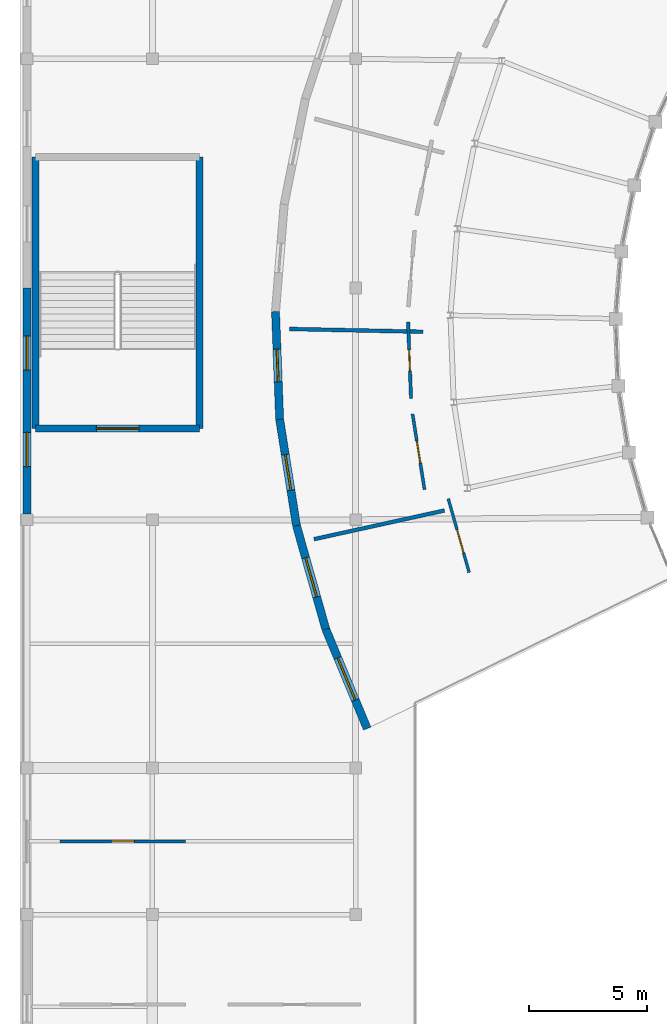
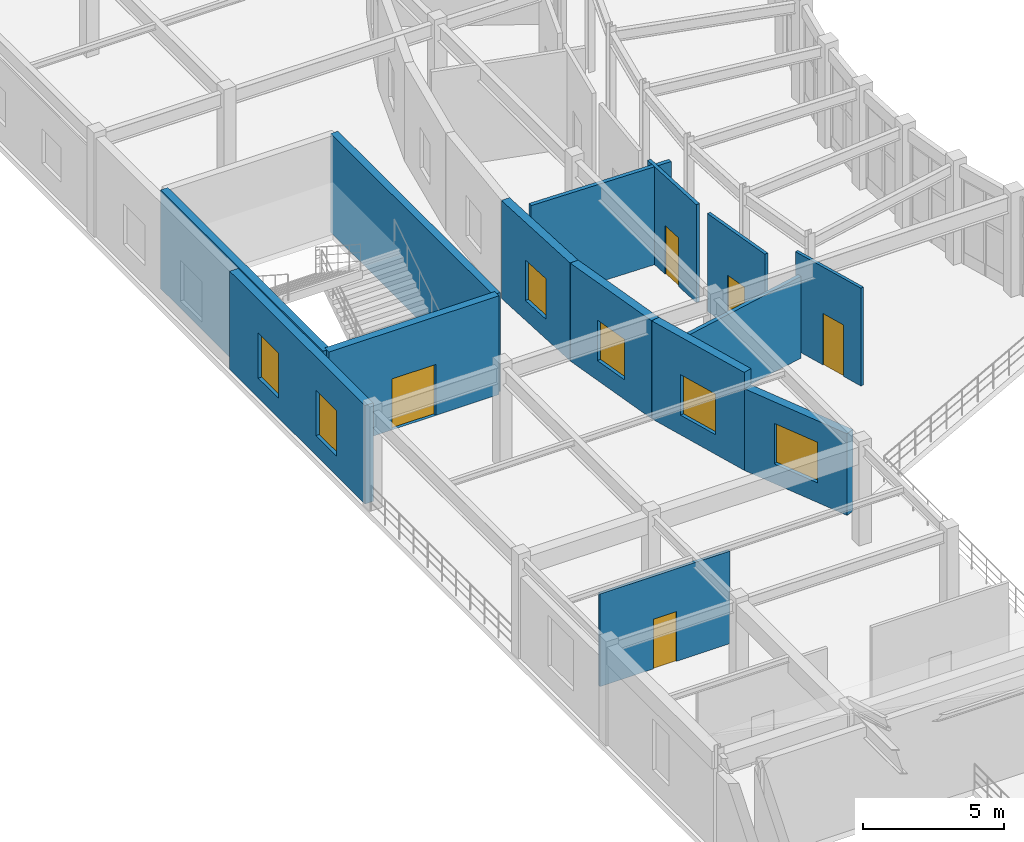
# One storey, part 83 of 112: 14 walls, 6 windows, 5 doors, 11 openings.
"""IFC4 building model written with IfcOpenShell, lengths in metres."""

from ifc_helpers import new_model, si_unit, direction, frame, frame_2d, origin, place, context, subcontext, project, spatial, rectangle, extrude, material, layer, layer_set, type_object, element, fill, save


model = new_model("IFC4")

# Units and contexts
model_context = context("Model", 3, precision=1e-05, world=origin(), true_north=direction((0.0, 1.0)))
body_context = subcontext(model_context, "Body", "Model", "MODEL_VIEW")
ifc_project = project(units=[si_unit("LENGTHUNIT", "METRE"), si_unit("AREAUNIT", "SQUARE_METRE"), si_unit("VOLUMEUNIT", "CUBIC_METRE"), si_unit("PLANEANGLEUNIT", "RADIAN"), si_unit("MASSUNIT", "GRAM", prefix="KILO")], contexts=[model_context])

# Site, building, storey
site_placement = place(None, origin())
site = spatial("IfcSite", under=ifc_project, at=site_placement, CompositionType="ELEMENT")
building_placement = place(site_placement, origin())
building = spatial("IfcBuilding", under=site, at=building_placement, Name="Cinderbank Siding Concert Hall", CompositionType="ELEMENT")
storey_placement = place(building_placement, frame((0.0, 0.0, 10.199951171875)))
storey = spatial("IfcBuildingStorey", under=building, at=storey_placement, Name="L03", CompositionType="ELEMENT", Elevation=10.199951171875)

# Wall, opening, door
ifc_material_1 = material(Name="Reinforced concrete AS 3600 N50 (50 MPa)", Category="concrete")
ifc_layer_1 = layer(ifc_material_1, 0.300048828125)
ifc_layer_set_1 = layer_set([ifc_layer_1], Name="Reinforced concrete AS 3600 N50 (50 MPa)")
wall_type_1 = type_object("IfcWallType", Name="WL-03 Structural Wall 300mm", PredefinedType="SHEAR", material=ifc_layer_set_1)
wall_1_placement = place(storey_placement, frame((14.39990234375, 63.860107421875, 0.0), z_axis=(0.0, 0.0, 1.0), x_axis=(-1.0, 0.0, 0.0)))
wall_1 = element("IfcWall", 1, at=wall_1_placement, inside=storey, type_object=wall_type_1, Name="L03 ST-09 Core Wall ENTRY", PredefinedType="SHEAR", context=body_context, shape_type="SweptSolid", body=[
    extrude(rectangle(XDim=6.93994140625, YDim=0.300048828125, at=frame_2d((3.469970703125, 0.0))), origin(), (0.0, 0.0, 1.0), 4.260009765625),
])
opening_1_placement = place(wall_1_placement, frame((2.570068359375, 0.0, 0.0)))
opening_1 = element("IfcOpeningElement", 2, at=opening_1_placement, cuts=wall_1, Name="Opening D-05", PredefinedType="OPENING", context=body_context, shape_type="SweptSolid", body=[
    extrude(rectangle(XDim=1.800048828125, YDim=2.199951171875, at=frame_2d((0.89990234375, 1.10009765625))), frame((0.0, 0.162109375, 0.0), z_axis=(0.0, -1.0, 0.0), x_axis=(1.0, 0.0, 0.0)), (0.0, 0.0, 1.0), 0.323974609375),
])
ifc_material_2 = material(Name="Galvanised sheet steel acoustic fire door assembly", Category="steel")
door_type_1 = type_object("IfcDoorType", Name="D-05 Interior Door 1800x2200", OperationType="DOUBLE_DOOR_SINGLE_SWING", PredefinedType="DOOR", material=ifc_material_2)
door_1_placement = place(opening_1_placement, origin())
door_1 = element("IfcDoor", 3, at=door_1_placement, inside=storey, type_object=door_type_1, Name="L03 ST-09 Fire Stair Door L03-D049", OperationType="DOUBLE_DOOR_SINGLE_SWING", OverallHeight=2.199951171875, OverallWidth=1.800048828125, PredefinedType="DOOR", context=body_context, shape_type="SweptSolid", body=[
    extrude(rectangle(XDim=1.800048828125, YDim=2.199951171875, at=frame_2d((0.89990234375, 1.10009765625))), frame((0.0, 0.02490234375, 0.0), z_axis=(0.0, -1.0, 0.0), x_axis=(1.0, 0.0, 0.0)), (0.0, 0.0, 1.0), 0.050048828125),
])
fill(opening_1, door_1)

# Walls
for number, where, z_axis, x_axis, name in (
    (4, (14.39990234375, 75.340087890625, 0.0), (0.0, 0.0, 1.0), (0.0, -1.0, 0.0), "L03 ST-09 Core Wall SIDE1"),
    (5, (7.4599609375, 63.860107421875, 0.0), (0.0, 0.0, 1.0), (0.0, 1.0, 0.0), "L03 ST-09 Core Wall SIDE2"),
):
    element("IfcWall", number, at=place(storey_placement, frame(where, z_axis=z_axis, x_axis=x_axis)), inside=storey, type_object=wall_type_1, Name=name, PredefinedType="SHEAR", context=body_context, shape_type="SweptSolid", body=[
        extrude(rectangle(XDim=11.47998046875, YDim=0.300048828125, at=frame_2d((5.739990234375, 0.0))), origin(), (0.0, 0.0, 1.0), 4.260009765625),
    ])

# Wall, opening, window
ifc_material_3 = material(Name="Clinker clay brickwork masonry AS 3700 (20 MPa)", Category="masonry")
ifc_layer_2 = layer(ifc_material_3, 0.340087890625)
ifc_layer_set_2 = layer_set([ifc_layer_2], Name="Clinker clay brickwork masonry AS 3700 (20 MPa)")
wall_type_2 = type_object("IfcWallType", Name="WL-07 Exterior Wall 340mm", PredefinedType="STANDARD", material=ifc_layer_set_2)
wall_2_placement = place(storey_placement, frame((17.6083984375, 68.80419921875, 0.0), z_axis=(0.0, 0.0, 1.0), x_axis=(0.038377542804, -0.999263310749, 0.0)))
wall_2 = element("IfcWall", 6, at=wall_2_placement, inside=storey, type_object=wall_type_2, Name="L03 Facade Wall EW-WOUT-L03-12", PredefinedType="STANDARD", context=body_context, shape_type="SweptSolid", body=[
    extrude(rectangle(XDim=4.554931640625, YDim=0.340087890625, at=frame_2d((2.27734375, 0.0))), origin(), (0.0, 0.0, 1.0), 4.22509765625),
])
opening_2_placement = place(wall_2_placement, frame((1.58740234375, 0.0, 0.85009765625)))
opening_2 = element("IfcOpeningElement", 7, at=opening_2_placement, cuts=wall_2, Name="Opening WN-21", PredefinedType="OPENING", context=body_context, shape_type="SweptSolid", body=[
    extrude(rectangle(XDim=1.3798828125, YDim=1.75, at=frame_2d((0.68994140625, 0.875))), frame((0.0, 0.18212890625, 0.0), z_axis=(0.0, -1.0, 0.0), x_axis=(1.0, 0.0, 0.0)), (0.0, 0.0, 1.0), 0.364013671875),
])
ifc_material_4 = material(Name="Double-glazed laminated acoustic glass", Category="glass")
window_type_1 = type_object("IfcWindowType", Name="WN-21 Acoustic Casement Window 1380x1750", PartitioningType="DOUBLE_PANEL_VERTICAL", PredefinedType="WINDOW", material=ifc_material_4)
window_1_placement = place(opening_2_placement, origin())
window_1 = element("IfcWindow", 8, at=window_1_placement, inside=storey, type_object=window_type_1, Name="L03 Facade Window #37", OverallHeight=1.75, OverallWidth=1.3798828125, PartitioningType="DOUBLE_PANEL_VERTICAL", PredefinedType="WINDOW", context=body_context, shape_type="SweptSolid", body=[
    extrude(rectangle(XDim=1.3798828125, YDim=1.75, at=frame_2d((0.68994140625, 0.875))), frame((0.0, 0.030029296875, 0.0), z_axis=(0.0, -1.0, 0.0), x_axis=(1.0, 0.0, 0.0)), (0.0, 0.0, 1.0), 0.06005859375),
])
fill(opening_2, window_1)

wall_3_placement = place(storey_placement, frame((17.783203125, 64.252685546875, 0.0), z_axis=(0.0, 0.0, 1.0), x_axis=(0.156466273676, -0.987683302077, 0.0)))
wall_3 = element("IfcWall", 9, at=wall_3_placement, inside=storey, type_object=wall_type_2, Name="L03 Facade Wall EW-WOUT-L03-13", PredefinedType="STANDARD", context=body_context, shape_type="SweptSolid", body=[
    extrude(rectangle(XDim=4.5546875, YDim=0.340087890625, at=frame_2d((2.27734375, 0.0))), origin(), (0.0, 0.0, 1.0), 4.22509765625),
])
opening_3_placement = place(wall_3_placement, frame((1.517333984375, 0.0, 0.85009765625)))
opening_3 = element("IfcOpeningElement", 10, at=opening_3_placement, cuts=wall_3, Name="Opening WN-22", PredefinedType="OPENING", context=body_context, shape_type="SweptSolid", body=[
    extrude(rectangle(XDim=1.52001953125, YDim=1.75, at=frame_2d((0.760009765625, 0.875))), frame((0.0, 0.18212890625, 0.0), z_axis=(0.0, -1.0, 0.0), x_axis=(1.0, 0.0, 0.0)), (0.0, 0.0, 1.0), 0.364013671875),
])
window_type_2 = type_object("IfcWindowType", Name="WN-22 Acoustic Casement Window 1520x1750", PartitioningType="DOUBLE_PANEL_VERTICAL", PredefinedType="WINDOW", material=ifc_material_4)
window_2_placement = place(opening_3_placement, origin())
window_2 = element("IfcWindow", 11, at=window_2_placement, inside=storey, type_object=window_type_2, Name="L03 Facade Window #38", OverallHeight=1.75, OverallWidth=1.52001953125, PartitioningType="DOUBLE_PANEL_VERTICAL", PredefinedType="WINDOW", context=body_context, shape_type="SweptSolid", body=[
    extrude(rectangle(XDim=1.52001953125, YDim=1.75, at=frame_2d((0.760009765625, 0.875))), frame((0.0, 0.030029296875, 0.0), z_axis=(0.0, -1.0, 0.0), x_axis=(1.0, 0.0, 0.0)), (0.0, 0.0, 1.0), 0.06005859375),
])
fill(opening_3, window_2)

wall_4_placement = place(storey_placement, frame((18.495849609375, 59.754150390625, 0.0), z_axis=(0.0, 0.0, 1.0), x_axis=(0.272249427892, -0.962226713936, 0.0)))
wall_4 = element("IfcWall", 12, at=wall_4_placement, inside=storey, type_object=wall_type_2, Name="L03 Facade Wall EW-WOUT-L03-14", PredefinedType="STANDARD", context=body_context, shape_type="SweptSolid", body=[
    extrude(rectangle(XDim=4.5546875, YDim=0.340087890625, at=frame_2d((2.27734375, 0.0))), origin(), (0.0, 0.0, 1.0), 4.22509765625),
])
opening_4_placement = place(wall_4_placement, frame((1.41748046875, 0.0, 0.85009765625)))
opening_4 = element("IfcOpeningElement", 13, at=opening_4_placement, cuts=wall_4, Name="Opening WN-23", PredefinedType="OPENING", context=body_context, shape_type="SweptSolid", body=[
    extrude(rectangle(XDim=1.719970703125, YDim=1.75, at=frame_2d((0.85986328125, 0.875))), frame((0.0, 0.18212890625, 0.0), z_axis=(0.0, -1.0, 0.0), x_axis=(1.0, 0.0, 0.0)), (0.0, 0.0, 1.0), 0.364013671875),
])
window_type_3 = type_object("IfcWindowType", Name="WN-23 Acoustic Casement Window 1720x1750", PartitioningType="DOUBLE_PANEL_VERTICAL", PredefinedType="WINDOW", material=ifc_material_4)
window_3_placement = place(opening_4_placement, origin())
window_3 = element("IfcWindow", 14, at=window_3_placement, inside=storey, type_object=window_type_3, Name="L03 Facade Window #39", OverallHeight=1.75, OverallWidth=1.719970703125, PartitioningType="DOUBLE_PANEL_VERTICAL", PredefinedType="WINDOW", context=body_context, shape_type="SweptSolid", body=[
    extrude(rectangle(XDim=1.719970703125, YDim=1.75, at=frame_2d((0.85986328125, 0.875))), frame((0.0, 0.030029296875, 0.0), z_axis=(0.0, -1.0, 0.0), x_axis=(1.0, 0.0, 0.0)), (0.0, 0.0, 1.0), 0.06005859375),
])
fill(opening_4, window_3)

wall_5_placement = place(storey_placement, frame((19.73583984375, 55.37158203125, 0.0), z_axis=(0.0, 0.0, 1.0), x_axis=(0.384310891198, -0.923203736402, 0.0)))
wall_5 = element("IfcWall", 15, at=wall_5_placement, inside=storey, type_object=wall_type_2, Name="L03 Facade Wall EW-WOUT-L03-15", PredefinedType="STANDARD", context=body_context, shape_type="SweptSolid", body=[
    extrude(rectangle(XDim=4.554931640625, YDim=0.340087890625, at=frame_2d((2.27734375, 0.0))), origin(), (0.0, 0.0, 1.0), 3.527099609375),
])
opening_5_placement = place(wall_5_placement, frame((1.3173828125, 0.0, 0.85009765625)))
opening_5 = element("IfcOpeningElement", 16, at=opening_5_placement, cuts=wall_5, Name="Opening WN-24", PredefinedType="OPENING", context=body_context, shape_type="SweptSolid", body=[
    extrude(rectangle(XDim=1.919921875, YDim=1.75, at=frame_2d((0.9599609375, 0.875))), frame((0.0, 0.18212890625, 0.0), z_axis=(0.0, -1.0, 0.0), x_axis=(1.0, 0.0, 0.0)), (0.0, 0.0, 1.0), 0.364013671875),
])
window_type_4 = type_object("IfcWindowType", Name="WN-24 Acoustic Casement Window 1920x1750", PartitioningType="DOUBLE_PANEL_VERTICAL", PredefinedType="WINDOW", material=ifc_material_4)
window_4_placement = place(opening_5_placement, origin())
window_4 = element("IfcWindow", 17, at=window_4_placement, inside=storey, type_object=window_type_4, Name="L03 Facade Window #40", OverallHeight=1.75, OverallWidth=1.919921875, PartitioningType="DOUBLE_PANEL_VERTICAL", PredefinedType="WINDOW", context=body_context, shape_type="SweptSolid", body=[
    extrude(rectangle(XDim=1.919921875, YDim=1.75, at=frame_2d((0.9599609375, 0.875))), frame((0.0, 0.030029296875, 0.0), z_axis=(0.0, -1.0, 0.0), x_axis=(1.0, 0.0, 0.0)), (0.0, 0.0, 1.0), 0.06005859375),
])
fill(opening_5, window_4)

# Wall, openings, windows
wall_6_placement = place(storey_placement, frame((7.10009765625, 60.235107421875, 0.0), z_axis=(0.0, 0.0, 1.0), x_axis=(0.0, 1.0, 0.0)))
wall_6 = element("IfcWall", 18, at=wall_6_placement, inside=storey, type_object=wall_type_2, Name="L03 Facade Wall EW-WL-W2-L03", PredefinedType="STANDARD", context=body_context, shape_type="SweptSolid", body=[
    extrude(rectangle(XDim=9.56494140625, YDim=0.340087890625, at=frame_2d((4.782470703125, 0.0))), origin(), (0.0, 0.0, 1.0), 4.2451171875),
])
opening_6_placement = place(wall_6_placement, frame((2.01611328125, 0.0, 0.85009765625)))
opening_6 = element("IfcOpeningElement", 19, at=opening_6_placement, cuts=wall_6, Name="Opening WN-14", PredefinedType="OPENING", context=body_context, shape_type="SweptSolid", body=[
    extrude(rectangle(XDim=1.449951171875, YDim=1.949951171875, at=frame_2d((0.72509765625, 0.97509765625))), frame((0.0, 0.18212890625, 0.0), z_axis=(0.0, -1.0, 0.0), x_axis=(1.0, 0.0, 0.0)), (0.0, 0.0, 1.0), 0.364013671875),
])
opening_7_placement = place(wall_6_placement, frame((6.0986328125, 0.0, 0.85009765625)))
opening_7 = element("IfcOpeningElement", 20, at=opening_7_placement, cuts=wall_6, Name="Opening WN-14", PredefinedType="OPENING", context=body_context, shape_type="SweptSolid", body=[
    extrude(rectangle(XDim=1.449951171875, YDim=1.949951171875, at=frame_2d((0.72509765625, 0.97509765625))), frame((0.0, 0.18212890625, 0.0), z_axis=(0.0, -1.0, 0.0), x_axis=(1.0, 0.0, 0.0)), (0.0, 0.0, 1.0), 0.364013671875),
])
window_type_5 = type_object("IfcWindowType", Name="WN-14 Acoustic Casement Window 1450x1950", PartitioningType="DOUBLE_PANEL_VERTICAL", PredefinedType="WINDOW", material=ifc_material_4)
window_5_placement = place(opening_6_placement, origin())
window_5 = element("IfcWindow", 21, at=window_5_placement, inside=storey, type_object=window_type_5, Name="L03 Facade Window #92", OverallHeight=1.949951171875, OverallWidth=1.449951171875, PartitioningType="DOUBLE_PANEL_VERTICAL", PredefinedType="WINDOW", context=body_context, shape_type="SweptSolid", body=[
    extrude(rectangle(XDim=1.449951171875, YDim=1.949951171875, at=frame_2d((0.72509765625, 0.97509765625))), frame((0.0, 0.030029296875, 0.0), z_axis=(0.0, -1.0, 0.0), x_axis=(1.0, 0.0, 0.0)), (0.0, 0.0, 1.0), 0.06005859375),
])
fill(opening_6, window_5)
window_6_placement = place(opening_7_placement, origin())
window_6 = element("IfcWindow", 22, at=window_6_placement, inside=storey, type_object=window_type_5, Name="L03 Facade Window #93", OverallHeight=1.949951171875, OverallWidth=1.449951171875, PartitioningType="DOUBLE_PANEL_VERTICAL", PredefinedType="WINDOW", context=body_context, shape_type="SweptSolid", body=[
    extrude(rectangle(XDim=1.449951171875, YDim=1.949951171875, at=frame_2d((0.72509765625, 0.97509765625))), frame((0.0, 0.030029296875, 0.0), z_axis=(0.0, -1.0, 0.0), x_axis=(1.0, 0.0, 0.0)), (0.0, 0.0, 1.0), 0.06005859375),
])
fill(opening_7, window_6)

# Walls
ifc_material_5 = material(Name="Acoustic plasterboard on light-gauge steel studs", Category="gypsum")
ifc_layer_3 = layer(ifc_material_5, 0.159912109375)
ifc_layer_set_3 = layer_set([ifc_layer_3], Name="Acoustic plasterboard on light-gauge steel studs")
wall_type_3 = type_object("IfcWallType", Name="WL-14 Interior Wall 160mm", PredefinedType="PARTITIONING", material=ifc_layer_set_3)
wall_7_placement = place(storey_placement, frame((23.842041015625, 67.953369140625, 0.0), z_axis=(0.0, 0.0, 1.0), x_axis=(-0.999780386636, 0.020956586028, 0.0)))
element("IfcWall", 23, at=wall_7_placement, inside=storey, type_object=wall_type_3, Name="L03 Radial Studio Demising Wall W12", PredefinedType="PARTITIONING", context=body_context, shape_type="SweptSolid", body=[
    extrude(rectangle(XDim=5.650146484375, YDim=0.159912109375, at=frame_2d((2.8251953125, 0.0))), origin(), (0.0, 0.0, 1.0), 4.22509765625),
])
wall_8_placement = place(storey_placement, frame((24.754638671875, 60.39306640625, 0.0), z_axis=(0.0, 0.0, 1.0), x_axis=(-0.976668579504, -0.214752149721, 0.0)))
element("IfcWall", 24, at=wall_8_placement, inside=storey, type_object=wall_type_3, Name="L03 Radial Studio Demising Wall W14", PredefinedType="PARTITIONING", context=body_context, shape_type="SweptSolid", body=[
    extrude(rectangle(XDim=5.650146484375, YDim=0.159912109375, at=frame_2d((2.8251953125, 0.0))), origin(), (0.0, 0.0, 1.0), 3.527099609375),
])

# Wall, opening, door
ifc_layer_4 = layer(ifc_material_5, 0.139892578125)
ifc_layer_set_4 = layer_set([ifc_layer_4], Name="Acoustic plasterboard on light-gauge steel studs")
wall_type_4 = type_object("IfcWallType", Name="WL-16 Interior Wall 140mm", PredefinedType="PARTITIONING", material=ifc_layer_set_4)
wall_9_placement = place(storey_placement, frame((23.216552734375, 68.3603515625, 0.0), z_axis=(0.0, 0.0, 1.0), x_axis=(0.038386780722, -0.999262955916, 0.0)))
wall_9 = element("IfcWall", 25, at=wall_9_placement, inside=storey, type_object=wall_type_4, Name="L03 Partition Studio Bay W12", PredefinedType="PARTITIONING", context=body_context, shape_type="SweptSolid", body=[
    extrude(rectangle(XDim=3.2373046875, YDim=0.139892578125, at=frame_2d((1.61865234375, 0.0))), origin(), (0.0, 0.0, 1.0), 4.22509765625),
])
opening_8_placement = place(wall_9_placement, frame((1.16845703125, 0.0, 0.0)))
opening_8 = element("IfcOpeningElement", 26, at=opening_8_placement, cuts=wall_9, Name="Opening D-15", PredefinedType="OPENING", context=body_context, shape_type="SweptSolid", body=[
    extrude(rectangle(XDim=0.89990234375, YDim=2.10009765625, at=frame_2d((0.449951171875, 1.050048828125))), frame((0.0, 0.08203125, 0.0), z_axis=(0.0, -1.0, 0.0), x_axis=(1.0, 0.0, 0.0)), (0.0, 0.0, 1.0), 0.163818359375),
])
ifc_material_6 = material(Name="Solid-core spotted gum acoustic timber", Category="wood")
door_type_2 = type_object("IfcDoorType", Name="D-15 Interior Door 900x2100", OperationType="NOTDEFINED", PredefinedType="DOOR", material=ifc_material_6)
door_2_placement = place(opening_8_placement, origin())
door_2 = element("IfcDoor", 27, at=door_2_placement, inside=storey, type_object=door_type_2, Name="L03 Studio Bay W12 Door L03-D220", OperationType="SINGLE_SWING_LEFT", OverallHeight=2.10009765625, OverallWidth=0.89990234375, PredefinedType="DOOR", context=body_context, shape_type="SweptSolid", body=[
    extrude(rectangle(XDim=0.89990234375, YDim=2.10009765625, at=frame_2d((0.449951171875, 1.050048828125))), frame((0.0, 0.02490234375, 0.0), z_axis=(0.0, -1.0, 0.0), x_axis=(1.0, 0.0, 0.0)), (0.0, 0.0, 1.0), 0.050048828125),
])
fill(opening_8, door_2)

ifc_layer_5 = layer(ifc_material_5, 0.1298828125)
ifc_layer_set_5 = layer_set([ifc_layer_5], Name="Acoustic plasterboard on light-gauge steel studs")
wall_type_5 = type_object("IfcWallType", Name="WL-17 Interior Wall 130mm", PredefinedType="PARTITIONING", material=ifc_layer_set_5)
wall_10_placement = place(storey_placement, frame((23.404541015625, 64.47607421875, 0.0), z_axis=(0.0, 0.0, 1.0), x_axis=(0.156419556763, -0.987690701719, 0.0)))
wall_10 = element("IfcWall", 28, at=wall_10_placement, inside=storey, type_object=wall_type_5, Name="L03 Partition Studio Bay W13", PredefinedType="PARTITIONING", context=body_context, shape_type="SweptSolid", body=[
    extrude(rectangle(XDim=3.237060546875, YDim=0.1298828125, at=frame_2d((1.61865234375, 0.0))), origin(), (0.0, 0.0, 1.0), 4.22509765625),
])
opening_9_placement = place(wall_10_placement, frame((1.138427734375, 0.0, 0.0)))
opening_9 = element("IfcOpeningElement", 29, at=opening_9_placement, cuts=wall_10, Name="Opening D-16", PredefinedType="OPENING", context=body_context, shape_type="SweptSolid", body=[
    extrude(rectangle(XDim=0.9599609375, YDim=2.179931640625, at=frame_2d((0.47998046875, 1.08984375))), frame((0.0, 0.076904296875, 0.0), z_axis=(0.0, -1.0, 0.0), x_axis=(1.0, 0.0, 0.0)), (0.0, 0.0, 1.0), 0.15380859375),
])
door_type_3 = type_object("IfcDoorType", Name="D-16 Interior Door 960x2180", OperationType="NOTDEFINED", PredefinedType="DOOR", material=ifc_material_6)
door_3_placement = place(opening_9_placement, origin())
door_3 = element("IfcDoor", 30, at=door_3_placement, inside=storey, type_object=door_type_3, Name="L03 Studio Bay W13 Door L03-D221", OperationType="SINGLE_SWING_RIGHT", OverallHeight=2.179931640625, OverallWidth=0.9599609375, PredefinedType="DOOR", context=body_context, shape_type="SweptSolid", body=[
    extrude(rectangle(XDim=0.9599609375, YDim=2.179931640625, at=frame_2d((0.47998046875, 1.08984375))), frame((0.0, 0.02490234375, 0.0), z_axis=(0.0, -1.0, 0.0), x_axis=(1.0, 0.0, 0.0)), (0.0, 0.0, 1.0), 0.050048828125),
])
fill(opening_9, door_3)

wall_11_placement = place(storey_placement, frame((8.5, 46.39990234375, 0.0), z_axis=(0.0, 0.0, 1.0), x_axis=(1.0, 0.0, 0.0)))
wall_11 = element("IfcWall", 31, at=wall_11_placement, inside=storey, type_object=wall_type_5, Name="L03 Partition L03 Accessible WC", PredefinedType="PARTITIONING", context=body_context, shape_type="SweptSolid", body=[
    extrude(rectangle(XDim=5.300048828125, YDim=0.1298828125, at=frame_2d((2.64990234375, 0.0))), origin(), (0.0, 0.0, 1.0), 3.995361328125),
])
opening_10_placement = place(wall_11_placement, frame((2.175048828125, 0.0, 0.0)))
opening_10 = element("IfcOpeningElement", 32, at=opening_10_placement, cuts=wall_11, Name="Opening D-01", PredefinedType="OPENING", context=body_context, shape_type="SweptSolid", body=[
    extrude(rectangle(XDim=0.949951171875, YDim=2.14990234375, at=frame_2d((0.47509765625, 1.074951171875))), frame((0.0, 0.076904296875, 0.0), z_axis=(0.0, -1.0, 0.0), x_axis=(1.0, 0.0, 0.0)), (0.0, 0.0, 1.0), 0.15380859375),
])
door_type_4 = type_object("IfcDoorType", Name="D-01 Interior Door 950x2150", OperationType="NOTDEFINED", PredefinedType="DOOR", material=ifc_material_6)
door_4_placement = place(opening_10_placement, origin())
door_4 = element("IfcDoor", 33, at=door_4_placement, inside=storey, type_object=door_type_4, Name="L03 L03 Accessible WC Door L03-D277", OperationType="SINGLE_SWING_LEFT", OverallHeight=2.14990234375, OverallWidth=0.949951171875, PredefinedType="DOOR", context=body_context, shape_type="SweptSolid", body=[
    extrude(rectangle(XDim=0.949951171875, YDim=2.14990234375, at=frame_2d((0.47509765625, 1.074951171875))), frame((0.0, 0.02490234375, 0.0), z_axis=(0.0, -1.0, 0.0), x_axis=(1.0, 0.0, 0.0)), (0.0, 0.0, 1.0), 0.050048828125),
])
fill(opening_10, door_4)

ifc_layer_6 = layer(ifc_material_5, 0.1201171875)
ifc_layer_set_6 = layer_set([ifc_layer_6], Name="Acoustic plasterboard on light-gauge steel studs")
wall_type_6 = type_object("IfcWallType", Name="WL-18 Interior Wall 120mm", PredefinedType="PARTITIONING", material=ifc_layer_set_6)
wall_12_placement = place(storey_placement, frame((24.9169921875, 60.886474609375, 0.0), z_axis=(0.0, 0.0, 1.0), x_axis=(0.272269765162, -0.96222095954, 0.0)))
wall_12 = element("IfcWall", 34, at=wall_12_placement, inside=storey, type_object=wall_type_6, Name="L03 Partition Studio Bay W14", PredefinedType="PARTITIONING", context=body_context, shape_type="SweptSolid", body=[
    extrude(rectangle(XDim=3.237060546875, YDim=0.1201171875, at=frame_2d((1.61865234375, 0.0))), origin(), (0.0, 0.0, 1.0), 4.22509765625),
])
opening_11_placement = place(wall_12_placement, frame((1.3583984375, 0.0, 0.0)))
opening_11 = element("IfcOpeningElement", 35, at=opening_11_placement, cuts=wall_12, Name="Opening D-17", PredefinedType="OPENING", context=body_context, shape_type="SweptSolid", body=[
    extrude(rectangle(XDim=1.02001953125, YDim=2.219970703125, at=frame_2d((0.510009765625, 1.10986328125))), frame((0.0, 0.072021484375, 0.0), z_axis=(0.0, -1.0, 0.0), x_axis=(1.0, 0.0, 0.0)), (0.0, 0.0, 1.0), 0.14404296875),
])
door_type_5 = type_object("IfcDoorType", Name="D-17 Interior Door 1020x2220", OperationType="NOTDEFINED", PredefinedType="DOOR", material=ifc_material_6)
door_5_placement = place(opening_11_placement, origin())
door_5 = element("IfcDoor", 36, at=door_5_placement, inside=storey, type_object=door_type_5, Name="L03 Studio Bay W14 Door L03-D222", OperationType="SINGLE_SWING_LEFT", OverallHeight=2.219970703125, OverallWidth=1.02001953125, PredefinedType="DOOR", context=body_context, shape_type="SweptSolid", body=[
    extrude(rectangle(XDim=1.02001953125, YDim=2.219970703125, at=frame_2d((0.510009765625, 1.10986328125))), frame((0.0, 0.02490234375, 0.0), z_axis=(0.0, -1.0, 0.0), x_axis=(1.0, 0.0, 0.0)), (0.0, 0.0, 1.0), 0.050048828125),
])
fill(opening_11, door_5)

save(model, "model.ifc")
